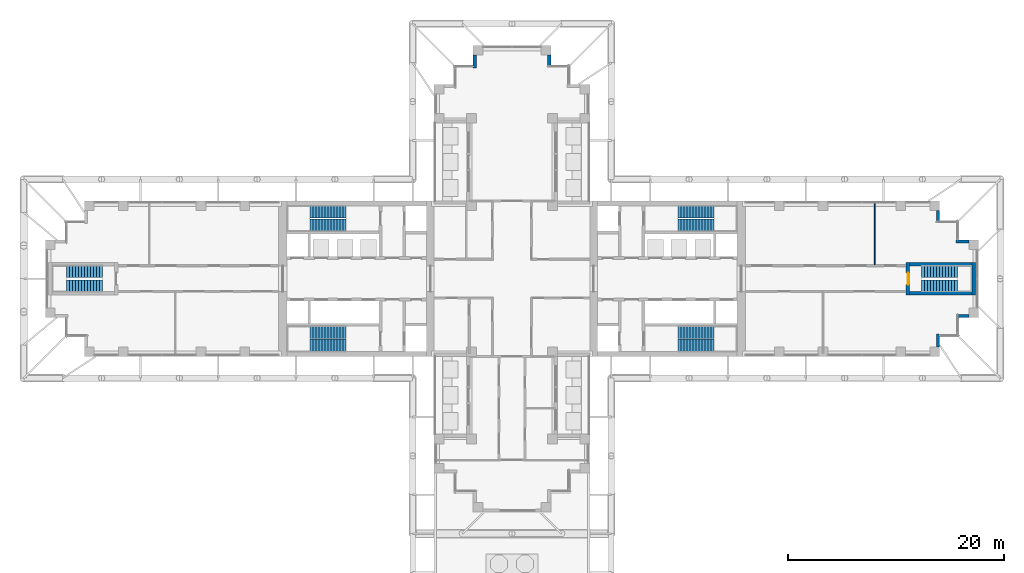
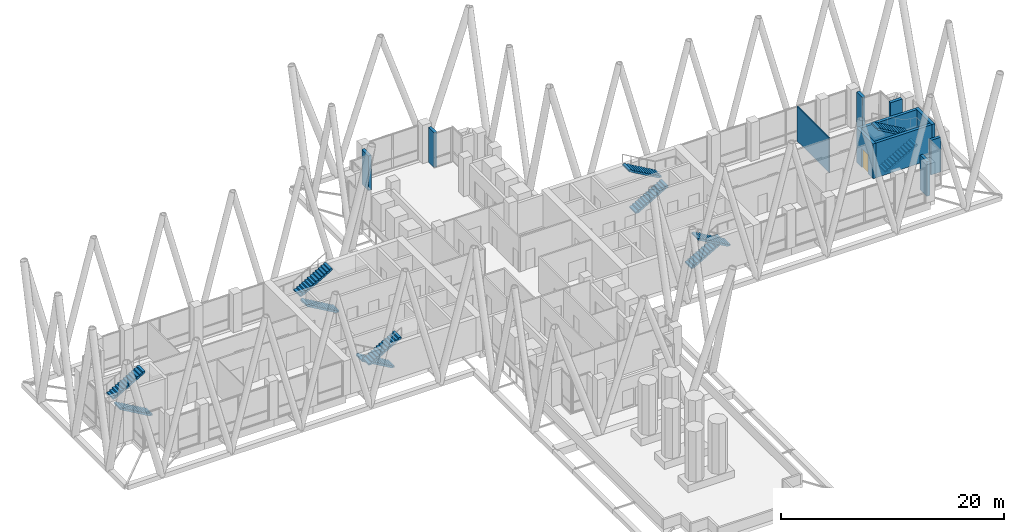
# One storey, part 18 of 22: 12 stair flights, 11 walls, 1 door, 1 opening, 6 elements without a shape of their own.
"""IFC4 building model written with IfcOpenShell, lengths in metres."""

from ifc_helpers import new_model, si_unit, direction, frame, frame_2d, origin, place, context, subcontext, project, spatial, polyline, rectangle, outline, extrude, material, layer, layer_set, type_object, element, fill, aggregate, save


model = new_model("IFC4")

# Units and contexts
model_context = context("Model", 3, precision=1e-05, world=origin(), true_north=direction((0.0, 1.0)))
body_context = subcontext(model_context, "Body", "Model", "MODEL_VIEW")
ifc_project = project(units=[si_unit("LENGTHUNIT", "METRE"), si_unit("AREAUNIT", "SQUARE_METRE"), si_unit("VOLUMEUNIT", "CUBIC_METRE"), si_unit("PLANEANGLEUNIT", "RADIAN"), si_unit("MASSUNIT", "GRAM", prefix="KILO")], contexts=[model_context])

# Site, building, storey
site_placement = place(None, origin())
site = spatial("IfcSite", under=ifc_project, at=site_placement, CompositionType="ELEMENT")
building_placement = place(site_placement, origin())
building = spatial("IfcBuilding", under=site, at=building_placement, Name="Fustian Cross Tower", CompositionType="ELEMENT")
storey_placement = place(building_placement, frame((0.0, 0.0, 116.10009765625)))
storey = spatial("IfcBuildingStorey", under=building, at=storey_placement, Name="L36", CompositionType="ELEMENT", Elevation=116.10009765625)

# Wall
ifc_material_1 = material(Name="Plasterboard on steel stud", Category="steel")
ifc_layer_1 = layer(ifc_material_1, 0.10009765625)
ifc_layer_set_1 = layer_set([ifc_layer_1], Name="Plasterboard on steel stud")
wall_type_1 = type_object("IfcWallType", Name="PARTITION 100 STUD", PredefinedType="PARTITIONING", material=ifc_layer_set_1)
wall_1_placement = place(storey_placement, frame((33.60009765625, 1.27490234375, 0.0), z_axis=(0.0, 0.0, 1.0), x_axis=(0.0, 1.0, 0.0)))
element("IfcWall", 1, at=wall_1_placement, inside=storey, type_object=wall_type_1, Name="Partition 29", PredefinedType="PARTITIONING", context=body_context, shape_type="SweptSolid", body=[
    extrude(rectangle(XDim=5.7451171875, YDim=0.10009765625, at=frame_2d((2.87255859375, 0.0))), origin(), (0.0, 0.0, 1.0), 3.7998046875),
])

# Wall, opening, door
ifc_material_2 = material(Name="Concrete C50/60", Category="concrete")
ifc_layer_2 = layer(ifc_material_2, 0.300048828125)
ifc_layer_set_2 = layer_set([ifc_layer_2], Name="Concrete C50/60")
wall_type_2 = type_object("IfcWallType", Name="STAIR ENCLOSURE WALL 300 C50/60", PredefinedType="SHEAR", material=ifc_layer_set_2)
wall_2_placement = place(storey_placement, frame((36.64990234375, -1.5, 0.0), z_axis=(0.0, 0.0, 1.0), x_axis=(0.0, 1.0, 0.0)))
wall_2 = element("IfcWall", 2, at=wall_2_placement, inside=storey, type_object=wall_type_2, Name="Stair enclosure wall", PredefinedType="SHEAR", context=body_context, shape_type="SweptSolid", body=[
    extrude(rectangle(XDim=3.0, YDim=0.300048828125, at=frame_2d((1.5, 0.0))), origin(), (0.0, 0.0, 1.0), 3.7998046875),
])
opening_placement = place(wall_2_placement, frame((0.949951171875, 0.0, 0.0)))
opening = element("IfcOpeningElement", 3, at=opening_placement, cuts=wall_2, Name="Opening CD-14-37", PredefinedType="OPENING", context=body_context, shape_type="SweptSolid", body=[
    extrude(rectangle(XDim=1.10009765625, YDim=2.10009765625, at=frame_2d((0.550048828125, 1.050048828125))), frame((0.0, 0.159912109375, 0.0), z_axis=(0.0, -1.0, 0.0), x_axis=(1.0, 0.0, 0.0)), (0.0, 0.0, 1.0), 0.320068359375),
])
ifc_material_3 = material(Name="Steel", Category="steel")
door_type = type_object("IfcDoorType", Name="FIRE DOOR FD60S 1100X2100", OperationType="SINGLE_SWING_LEFT", PredefinedType="DOOR", material=ifc_material_3)
door_placement = place(opening_placement, frame((1.10009765625, 0.0, 0.0), z_axis=(0.0, 0.0, 1.0), x_axis=(-1.0, 0.0, 0.0)))
door = element("IfcDoor", 4, at=door_placement, inside=storey, type_object=door_type, Name="Core door CD-14-37", OperationType="SINGLE_SWING_RIGHT", OverallHeight=2.10009765625, OverallWidth=1.10009765625, PredefinedType="DOOR", context=body_context, shape_type="SweptSolid", body=[
    extrude(rectangle(XDim=1.10009765625, YDim=2.10009765625, at=frame_2d((0.550048828125, 1.050048828125))), frame((0.0, 0.02490234375, 0.0), z_axis=(0.0, -1.0, 0.0), x_axis=(1.0, 0.0, 0.0)), (0.0, 0.0, 1.0), 0.050048828125),
])
fill(opening, door)

# Walls
wall_3_placement = place(storey_placement, frame((42.75, -1.5, 0.0), z_axis=(0.0, 0.0, 1.0), x_axis=(0.0, 1.0, 0.0)))
element("IfcWall", 5, at=wall_3_placement, inside=storey, type_object=wall_type_2, Name="Stair enclosure wall", PredefinedType="SHEAR", context=body_context, shape_type="SweptSolid", body=[
    extrude(rectangle(XDim=3.0, YDim=0.300048828125, at=frame_2d((1.5, 0.0))), origin(), (0.0, 0.0, 1.0), 3.7998046875),
])
for number, where, z_axis, x_axis, name in (
    (6, (36.800048828125, -1.35009765625, 0.0), (0.0, 0.0, 1.0), (1.0, 0.0, 0.0), "Stair enclosure wall"),
    (7, (36.800048828125, 1.35009765625, 0.0), (0.0, 0.0, 1.0), (1.0, 0.0, 0.0), "Stair enclosure wall"),
):
    element("IfcWall", number, at=place(storey_placement, frame(where, z_axis=z_axis, x_axis=x_axis)), inside=storey, type_object=wall_type_2, Name=name, PredefinedType="SHEAR", context=body_context, shape_type="SweptSolid", body=[
        extrude(rectangle(XDim=5.800048828125, YDim=0.300048828125, at=frame_2d((2.89990234375, 0.0))), origin(), (0.0, 0.0, 1.0), 3.7998046875),
    ])
ifc_material_4 = material(Name="Dark aluminium cladding on insulated backing wall", Category="aluminium")
ifc_layer_3 = layer(ifc_material_4, 0.300048828125)
ifc_layer_set_3 = layer_set([ifc_layer_3], Name="Dark aluminium cladding on insulated backing wall")
wall_type_3 = type_object("IfcWallType", Name="XW1 EXTERNAL WALL 300", PredefinedType="SOLIDWALL", material=ifc_layer_set_3)
wall_4_placement = place(storey_placement, frame((39.449951171875, -6.300048828125, 0.0), z_axis=(0.0, 0.0, 1.0), x_axis=(0.0, 1.0, 0.0)))
element("IfcWall", 8, at=wall_4_placement, inside=storey, type_object=wall_type_3, Name="External wall", PredefinedType="SOLIDWALL", context=body_context, shape_type="SweptSolid", body=[
    extrude(rectangle(XDim=1.199951171875, YDim=0.300048828125, at=frame_2d((0.60009765625, 0.0))), origin(), (0.0, 0.0, 1.0), 3.7998046875),
])
wall_5_placement = place(storey_placement, frame((41.280029296875, -3.449951171875, 0.0), z_axis=(0.0, 0.0, 1.0), x_axis=(1.0, 0.0, 0.0)))
element("IfcWall", 9, at=wall_5_placement, inside=storey, type_object=wall_type_3, Name="External wall", PredefinedType="SOLIDWALL", context=body_context, shape_type="SweptSolid", body=[
    extrude(rectangle(XDim=1.02001953125, YDim=0.300048828125, at=frame_2d((0.510009765625, 0.0))), origin(), (0.0, 0.0, 1.0), 3.7998046875),
])
wall_6_placement = place(storey_placement, frame((42.300048828125, 3.449951171875, 0.0), z_axis=(0.0, 0.0, 1.0), x_axis=(-1.0, 0.0, 0.0)))
element("IfcWall", 10, at=wall_6_placement, inside=storey, type_object=wall_type_3, Name="External wall", PredefinedType="SOLIDWALL", context=body_context, shape_type="SweptSolid", body=[
    extrude(rectangle(XDim=1.199951171875, YDim=0.300048828125, at=frame_2d((0.60009765625, 0.0))), origin(), (0.0, 0.0, 1.0), 3.7998046875),
])
for number, where, z_axis, x_axis, name in (
    (11, (39.449951171875, 5.280029296875, 0.0), (0.0, 0.0, 1.0), (0.0, 1.0, 0.0), "External wall"),
    (12, (3.449951171875, 19.679931640625, 0.0), (0.0, 0.0, 1.0), (0.0, 1.0, 0.0), "External wall"),
):
    element("IfcWall", number, at=place(storey_placement, frame(where, z_axis=z_axis, x_axis=x_axis)), inside=storey, type_object=wall_type_3, Name=name, PredefinedType="SOLIDWALL", context=body_context, shape_type="SweptSolid", body=[
        extrude(rectangle(XDim=1.02001953125, YDim=0.300048828125, at=frame_2d((0.510009765625, 0.0))), origin(), (0.0, 0.0, 1.0), 3.7998046875),
    ])
wall_7_placement = place(storey_placement, frame((-3.449951171875, 20.699951171875, 0.0), z_axis=(0.0, 0.0, 1.0), x_axis=(0.0, -1.0, 0.0)))
element("IfcWall", 13, at=wall_7_placement, inside=storey, type_object=wall_type_3, Name="External wall", PredefinedType="SOLIDWALL", context=body_context, shape_type="SweptSolid", body=[
    extrude(rectangle(XDim=1.199951171875, YDim=0.300048828125, at=frame_2d((0.60009765625, 0.0))), origin(), (0.0, 0.0, 1.0), 3.7998046875),
])

# Stair, stair flights
ifc_material_5 = material(Name="Concrete C50/60", Category="concrete")
stair_type_1 = type_object("IfcStairType", Name="STAIR 1100 HALF TURN", PredefinedType="HALF_TURN_STAIR", material=ifc_material_5)
stair_1_placement = place(storey_placement, origin())
stair_1 = element("IfcStair", 14, at=stair_1_placement, inside=storey, type_object=stair_type_1, Name="Stair ST8", PredefinedType="HALF_TURN_STAIR")
ifc_material_6 = material(Name="Concrete C50/60", Category="concrete")
stair_flight_type_1 = type_object("IfcStairFlightType", Name="STAIR FLIGHT 1100", PredefinedType="STRAIGHT", material=ifc_material_6)
stair_flight_1_placement = place(storey_placement, frame((37.89990234375, -0.64990234375, 0.0), z_axis=(0.0, 0.0, 1.0), x_axis=(1.0, 0.0, 0.0)))
stair_flight_1 = element("IfcStairFlight", 15, at=stair_flight_1_placement, type_object=stair_flight_type_1, Name="ST8 flight 1", NumberOfRisers=13, NumberOfTreads=12, PredefinedType="STRAIGHT", RiserHeight=0.161538462, TreadLength=0.28, context=body_context, shape_type="SweptSolid", body=[
    extrude(outline(polyline([(0.0, 0.0), (0.0, 0.16162109375), (0.280029296875, 0.16162109375), (0.280029296875, 0.322998046875), (0.56005859375, 0.322998046875), (0.56005859375, 0.484619140625), (0.840087890625, 0.484619140625), (0.840087890625, 0.646240234375), (1.1201171875, 0.646240234375), (1.1201171875, 0.8076171875), (1.39990234375, 0.8076171875), (1.39990234375, 0.96923828125), (1.679931640625, 0.96923828125), (1.679931640625, 1.130859375), (1.9599609375, 1.130859375), (1.9599609375, 1.292236328125), (2.239990234375, 1.292236328125), (2.239990234375, 1.453857421875), (2.52001953125, 1.453857421875), (2.52001953125, 1.615478515625), (2.800048828125, 1.615478515625), (2.800048828125, 1.77685546875), (3.080078125, 1.77685546875), (3.080078125, 1.9384765625), (3.360107421875, 1.9384765625), (3.360107421875, 2.10009765625), (3.360107421875, 1.765380859375), (0.300048828125, 0.0), (0.0, 0.0)])), frame((0.0, 0.550048828125, 0.0), z_axis=(0.0, -1.0, 0.0), x_axis=(1.0, 0.0, 0.0)), (0.0, 0.0, 1.0), 1.10009765625),
])
stair_flight_2_placement = place(storey_placement, frame((41.260009765625, 0.64990234375, 2.099853515625), z_axis=(0.0, 0.0, 1.0), x_axis=(-1.0, 0.0, 0.0)))
stair_flight_2 = element("IfcStairFlight", 16, at=stair_flight_2_placement, type_object=stair_flight_type_1, Name="ST8 flight 2", NumberOfRisers=13, NumberOfTreads=12, PredefinedType="STRAIGHT", RiserHeight=0.161538462, TreadLength=0.28, context=body_context, shape_type="SweptSolid", body=[
    extrude(outline(polyline([(0.0, 0.0), (0.0, 0.16162109375), (0.280029296875, 0.16162109375), (0.280029296875, 0.322998046875), (0.56005859375, 0.322998046875), (0.56005859375, 0.484619140625), (0.840087890625, 0.484619140625), (0.840087890625, 0.646240234375), (1.1201171875, 0.646240234375), (1.1201171875, 0.8076171875), (1.39990234375, 0.8076171875), (1.39990234375, 0.96923828125), (1.679931640625, 0.96923828125), (1.679931640625, 1.130859375), (1.9599609375, 1.130859375), (1.9599609375, 1.292236328125), (2.239990234375, 1.292236328125), (2.239990234375, 1.453857421875), (2.52001953125, 1.453857421875), (2.52001953125, 1.615478515625), (2.800048828125, 1.615478515625), (2.800048828125, 1.77685546875), (3.080078125, 1.77685546875), (3.080078125, 1.9384765625), (3.360107421875, 1.9384765625), (3.360107421875, 2.10009765625), (3.360107421875, 1.765380859375), (0.300048828125, 0.0), (0.0, 0.0)])), frame((0.0, 0.550048828125, 0.0), z_axis=(0.0, -1.0, 0.0), x_axis=(1.0, 0.0, 0.0)), (0.0, 0.0, 1.0), 1.10009765625),
])
aggregate(stair_1, [stair_flight_1, stair_flight_2])

stair_2_placement = place(storey_placement, origin())
stair_2 = element("IfcStair", 17, at=stair_2_placement, inside=storey, type_object=stair_type_1, Name="Stair ST9", PredefinedType="HALF_TURN_STAIR")
stair_flight_3_placement = place(storey_placement, frame((-37.89990234375, -0.64990234375, 0.0), z_axis=(0.0, 0.0, 1.0), x_axis=(-1.0, 0.0, 0.0)))
stair_flight_3 = element("IfcStairFlight", 18, at=stair_flight_3_placement, type_object=stair_flight_type_1, Name="ST9 flight 1", NumberOfRisers=13, NumberOfTreads=12, PredefinedType="STRAIGHT", RiserHeight=0.161538462, TreadLength=0.28, context=body_context, shape_type="SweptSolid", body=[
    extrude(outline(polyline([(0.0, 0.0), (0.0, 0.16162109375), (0.280029296875, 0.16162109375), (0.280029296875, 0.322998046875), (0.56005859375, 0.322998046875), (0.56005859375, 0.484619140625), (0.840087890625, 0.484619140625), (0.840087890625, 0.646240234375), (1.1201171875, 0.646240234375), (1.1201171875, 0.8076171875), (1.39990234375, 0.8076171875), (1.39990234375, 0.96923828125), (1.679931640625, 0.96923828125), (1.679931640625, 1.130859375), (1.9599609375, 1.130859375), (1.9599609375, 1.292236328125), (2.239990234375, 1.292236328125), (2.239990234375, 1.453857421875), (2.52001953125, 1.453857421875), (2.52001953125, 1.615478515625), (2.800048828125, 1.615478515625), (2.800048828125, 1.77685546875), (3.080078125, 1.77685546875), (3.080078125, 1.9384765625), (3.360107421875, 1.9384765625), (3.360107421875, 2.10009765625), (3.360107421875, 1.765380859375), (0.300048828125, 0.0), (0.0, 0.0)])), frame((0.0, 0.550048828125, 0.0), z_axis=(0.0, -1.0, 0.0), x_axis=(1.0, 0.0, 0.0)), (0.0, 0.0, 1.0), 1.10009765625),
])
stair_flight_4_placement = place(storey_placement, frame((-41.260009765625, 0.64990234375, 2.099853515625), z_axis=(0.0, 0.0, 1.0), x_axis=(1.0, 0.0, 0.0)))
stair_flight_4 = element("IfcStairFlight", 19, at=stair_flight_4_placement, type_object=stair_flight_type_1, Name="ST9 flight 2", NumberOfRisers=13, NumberOfTreads=12, PredefinedType="STRAIGHT", RiserHeight=0.161538462, TreadLength=0.28, context=body_context, shape_type="SweptSolid", body=[
    extrude(outline(polyline([(0.0, 0.0), (0.0, 0.16162109375), (0.280029296875, 0.16162109375), (0.280029296875, 0.322998046875), (0.56005859375, 0.322998046875), (0.56005859375, 0.484619140625), (0.840087890625, 0.484619140625), (0.840087890625, 0.646240234375), (1.1201171875, 0.646240234375), (1.1201171875, 0.8076171875), (1.39990234375, 0.8076171875), (1.39990234375, 0.96923828125), (1.679931640625, 0.96923828125), (1.679931640625, 1.130859375), (1.9599609375, 1.130859375), (1.9599609375, 1.292236328125), (2.239990234375, 1.292236328125), (2.239990234375, 1.453857421875), (2.52001953125, 1.453857421875), (2.52001953125, 1.615478515625), (2.800048828125, 1.615478515625), (2.800048828125, 1.77685546875), (3.080078125, 1.77685546875), (3.080078125, 1.9384765625), (3.360107421875, 1.9384765625), (3.360107421875, 2.10009765625), (3.360107421875, 1.765380859375), (0.300048828125, 0.0), (0.0, 0.0)])), frame((0.0, 0.550048828125, 0.0), z_axis=(0.0, -1.0, 0.0), x_axis=(1.0, 0.0, 0.0)), (0.0, 0.0, 1.0), 1.10009765625),
])
aggregate(stair_2, [stair_flight_3, stair_flight_4])

ifc_material_7 = material(Name="Concrete C50/60", Category="concrete")
stair_type_2 = type_object("IfcStairType", Name="STAIR 1150 HALF TURN", PredefinedType="HALF_TURN_STAIR", material=ifc_material_7)
stair_3_placement = place(storey_placement, origin())
stair_3 = element("IfcStair", 20, at=stair_3_placement, inside=storey, type_object=stair_type_2, Name="Stair ST1", PredefinedType="HALF_TURN_STAIR")
ifc_material_8 = material(Name="Concrete C50/60", Category="concrete")
stair_flight_type_2 = type_object("IfcStairFlightType", Name="STAIR FLIGHT 1150", PredefinedType="STRAIGHT", material=ifc_material_8)
stair_flight_5_placement = place(storey_placement, frame((15.35009765625, 4.97509765625, 0.0), z_axis=(0.0, 0.0, 1.0), x_axis=(1.0, 0.0, 0.0)))
stair_flight_5 = element("IfcStairFlight", 21, at=stair_flight_5_placement, type_object=stair_flight_type_2, Name="ST1 flight 1", NumberOfRisers=13, NumberOfTreads=12, PredefinedType="STRAIGHT", RiserHeight=0.161538462, TreadLength=0.28, context=body_context, shape_type="SweptSolid", body=[
    extrude(outline(polyline([(0.0, 0.0), (0.0, 0.16162109375), (0.280029296875, 0.16162109375), (0.280029296875, 0.322998046875), (0.56005859375, 0.322998046875), (0.56005859375, 0.484619140625), (0.840087890625, 0.484619140625), (0.840087890625, 0.646240234375), (1.1201171875, 0.646240234375), (1.1201171875, 0.8076171875), (1.39990234375, 0.8076171875), (1.39990234375, 0.96923828125), (1.679931640625, 0.96923828125), (1.679931640625, 1.130859375), (1.9599609375, 1.130859375), (1.9599609375, 1.292236328125), (2.239990234375, 1.292236328125), (2.239990234375, 1.453857421875), (2.52001953125, 1.453857421875), (2.52001953125, 1.615478515625), (2.800048828125, 1.615478515625), (2.800048828125, 1.77685546875), (3.080078125, 1.77685546875), (3.080078125, 1.9384765625), (3.360107421875, 1.9384765625), (3.360107421875, 2.10009765625), (3.360107421875, 1.765380859375), (0.300048828125, 0.0), (0.0, 0.0)])), frame((0.0, 0.574951171875, 0.0), z_axis=(0.0, -1.0, 0.0), x_axis=(1.0, 0.0, 0.0)), (0.0, 0.0, 1.0), 1.14990234375),
])
stair_flight_6_placement = place(storey_placement, frame((18.7099609375, 6.175048828125, 2.099853515625), z_axis=(0.0, 0.0, 1.0), x_axis=(-1.0, 0.0, 0.0)))
stair_flight_6 = element("IfcStairFlight", 22, at=stair_flight_6_placement, type_object=stair_flight_type_2, Name="ST1 flight 2", NumberOfRisers=13, NumberOfTreads=12, PredefinedType="STRAIGHT", RiserHeight=0.161538462, TreadLength=0.28, context=body_context, shape_type="SweptSolid", body=[
    extrude(outline(polyline([(0.0, 0.0), (0.0, 0.16162109375), (0.280029296875, 0.16162109375), (0.280029296875, 0.322998046875), (0.56005859375, 0.322998046875), (0.56005859375, 0.484619140625), (0.840087890625, 0.484619140625), (0.840087890625, 0.646240234375), (1.1201171875, 0.646240234375), (1.1201171875, 0.8076171875), (1.39990234375, 0.8076171875), (1.39990234375, 0.96923828125), (1.679931640625, 0.96923828125), (1.679931640625, 1.130859375), (1.9599609375, 1.130859375), (1.9599609375, 1.292236328125), (2.239990234375, 1.292236328125), (2.239990234375, 1.453857421875), (2.52001953125, 1.453857421875), (2.52001953125, 1.615478515625), (2.800048828125, 1.615478515625), (2.800048828125, 1.77685546875), (3.080078125, 1.77685546875), (3.080078125, 1.9384765625), (3.360107421875, 1.9384765625), (3.360107421875, 2.10009765625), (3.360107421875, 1.765380859375), (0.300048828125, 0.0), (0.0, 0.0)])), frame((0.0, 0.574951171875, 0.0), z_axis=(0.0, -1.0, 0.0), x_axis=(1.0, 0.0, 0.0)), (0.0, 0.0, 1.0), 1.14990234375),
])
aggregate(stair_3, [stair_flight_5, stair_flight_6])

stair_4_placement = place(storey_placement, origin())
stair_4 = element("IfcStair", 23, at=stair_4_placement, inside=storey, type_object=stair_type_2, Name="Stair ST2", PredefinedType="HALF_TURN_STAIR")
stair_flight_7_placement = place(storey_placement, frame((15.35009765625, -4.97509765625, 0.0), z_axis=(0.0, 0.0, 1.0), x_axis=(1.0, 0.0, 0.0)))
stair_flight_7 = element("IfcStairFlight", 24, at=stair_flight_7_placement, type_object=stair_flight_type_2, Name="ST2 flight 1", NumberOfRisers=13, NumberOfTreads=12, PredefinedType="STRAIGHT", RiserHeight=0.161538462, TreadLength=0.28, context=body_context, shape_type="SweptSolid", body=[
    extrude(outline(polyline([(0.0, 0.0), (0.0, 0.16162109375), (0.280029296875, 0.16162109375), (0.280029296875, 0.322998046875), (0.56005859375, 0.322998046875), (0.56005859375, 0.484619140625), (0.840087890625, 0.484619140625), (0.840087890625, 0.646240234375), (1.1201171875, 0.646240234375), (1.1201171875, 0.8076171875), (1.39990234375, 0.8076171875), (1.39990234375, 0.96923828125), (1.679931640625, 0.96923828125), (1.679931640625, 1.130859375), (1.9599609375, 1.130859375), (1.9599609375, 1.292236328125), (2.239990234375, 1.292236328125), (2.239990234375, 1.453857421875), (2.52001953125, 1.453857421875), (2.52001953125, 1.615478515625), (2.800048828125, 1.615478515625), (2.800048828125, 1.77685546875), (3.080078125, 1.77685546875), (3.080078125, 1.9384765625), (3.360107421875, 1.9384765625), (3.360107421875, 2.10009765625), (3.360107421875, 1.765380859375), (0.300048828125, 0.0), (0.0, 0.0)])), frame((0.0, 0.574951171875, 0.0), z_axis=(0.0, -1.0, 0.0), x_axis=(1.0, 0.0, 0.0)), (0.0, 0.0, 1.0), 1.14990234375),
])
stair_flight_8_placement = place(storey_placement, frame((18.7099609375, -6.175048828125, 2.099853515625), z_axis=(0.0, 0.0, 1.0), x_axis=(-1.0, 0.0, 0.0)))
stair_flight_8 = element("IfcStairFlight", 25, at=stair_flight_8_placement, type_object=stair_flight_type_2, Name="ST2 flight 2", NumberOfRisers=13, NumberOfTreads=12, PredefinedType="STRAIGHT", RiserHeight=0.161538462, TreadLength=0.28, context=body_context, shape_type="SweptSolid", body=[
    extrude(outline(polyline([(0.0, 0.0), (0.0, 0.16162109375), (0.280029296875, 0.16162109375), (0.280029296875, 0.322998046875), (0.56005859375, 0.322998046875), (0.56005859375, 0.484619140625), (0.840087890625, 0.484619140625), (0.840087890625, 0.646240234375), (1.1201171875, 0.646240234375), (1.1201171875, 0.8076171875), (1.39990234375, 0.8076171875), (1.39990234375, 0.96923828125), (1.679931640625, 0.96923828125), (1.679931640625, 1.130859375), (1.9599609375, 1.130859375), (1.9599609375, 1.292236328125), (2.239990234375, 1.292236328125), (2.239990234375, 1.453857421875), (2.52001953125, 1.453857421875), (2.52001953125, 1.615478515625), (2.800048828125, 1.615478515625), (2.800048828125, 1.77685546875), (3.080078125, 1.77685546875), (3.080078125, 1.9384765625), (3.360107421875, 1.9384765625), (3.360107421875, 2.10009765625), (3.360107421875, 1.765380859375), (0.300048828125, 0.0), (0.0, 0.0)])), frame((0.0, 0.574951171875, 0.0), z_axis=(0.0, -1.0, 0.0), x_axis=(1.0, 0.0, 0.0)), (0.0, 0.0, 1.0), 1.14990234375),
])
aggregate(stair_4, [stair_flight_7, stair_flight_8])

stair_5_placement = place(storey_placement, origin())
stair_5 = element("IfcStair", 26, at=stair_5_placement, inside=storey, type_object=stair_type_2, Name="Stair ST3", PredefinedType="HALF_TURN_STAIR")
stair_flight_9_placement = place(storey_placement, frame((-15.35009765625, 4.97509765625, 0.0), z_axis=(0.0, 0.0, 1.0), x_axis=(-1.0, 0.0, 0.0)))
stair_flight_9 = element("IfcStairFlight", 27, at=stair_flight_9_placement, type_object=stair_flight_type_2, Name="ST3 flight 1", NumberOfRisers=13, NumberOfTreads=12, PredefinedType="STRAIGHT", RiserHeight=0.161538462, TreadLength=0.28, context=body_context, shape_type="SweptSolid", body=[
    extrude(outline(polyline([(0.0, 0.0), (0.0, 0.16162109375), (0.280029296875, 0.16162109375), (0.280029296875, 0.322998046875), (0.56005859375, 0.322998046875), (0.56005859375, 0.484619140625), (0.840087890625, 0.484619140625), (0.840087890625, 0.646240234375), (1.1201171875, 0.646240234375), (1.1201171875, 0.8076171875), (1.39990234375, 0.8076171875), (1.39990234375, 0.96923828125), (1.679931640625, 0.96923828125), (1.679931640625, 1.130859375), (1.9599609375, 1.130859375), (1.9599609375, 1.292236328125), (2.239990234375, 1.292236328125), (2.239990234375, 1.453857421875), (2.52001953125, 1.453857421875), (2.52001953125, 1.615478515625), (2.800048828125, 1.615478515625), (2.800048828125, 1.77685546875), (3.080078125, 1.77685546875), (3.080078125, 1.9384765625), (3.360107421875, 1.9384765625), (3.360107421875, 2.10009765625), (3.360107421875, 1.765380859375), (0.300048828125, 0.0), (0.0, 0.0)])), frame((0.0, 0.574951171875, 0.0), z_axis=(0.0, -1.0, 0.0), x_axis=(1.0, 0.0, 0.0)), (0.0, 0.0, 1.0), 1.14990234375),
])
stair_flight_10_placement = place(storey_placement, frame((-18.7099609375, 6.175048828125, 2.099853515625), z_axis=(0.0, 0.0, 1.0), x_axis=(1.0, 0.0, 0.0)))
stair_flight_10 = element("IfcStairFlight", 28, at=stair_flight_10_placement, type_object=stair_flight_type_2, Name="ST3 flight 2", NumberOfRisers=13, NumberOfTreads=12, PredefinedType="STRAIGHT", RiserHeight=0.161538462, TreadLength=0.28, context=body_context, shape_type="SweptSolid", body=[
    extrude(outline(polyline([(0.0, 0.0), (0.0, 0.16162109375), (0.280029296875, 0.16162109375), (0.280029296875, 0.322998046875), (0.56005859375, 0.322998046875), (0.56005859375, 0.484619140625), (0.840087890625, 0.484619140625), (0.840087890625, 0.646240234375), (1.1201171875, 0.646240234375), (1.1201171875, 0.8076171875), (1.39990234375, 0.8076171875), (1.39990234375, 0.96923828125), (1.679931640625, 0.96923828125), (1.679931640625, 1.130859375), (1.9599609375, 1.130859375), (1.9599609375, 1.292236328125), (2.239990234375, 1.292236328125), (2.239990234375, 1.453857421875), (2.52001953125, 1.453857421875), (2.52001953125, 1.615478515625), (2.800048828125, 1.615478515625), (2.800048828125, 1.77685546875), (3.080078125, 1.77685546875), (3.080078125, 1.9384765625), (3.360107421875, 1.9384765625), (3.360107421875, 2.10009765625), (3.360107421875, 1.765380859375), (0.300048828125, 0.0), (0.0, 0.0)])), frame((0.0, 0.574951171875, 0.0), z_axis=(0.0, -1.0, 0.0), x_axis=(1.0, 0.0, 0.0)), (0.0, 0.0, 1.0), 1.14990234375),
])
aggregate(stair_5, [stair_flight_9, stair_flight_10])

stair_6_placement = place(storey_placement, origin())
stair_6 = element("IfcStair", 29, at=stair_6_placement, inside=storey, type_object=stair_type_2, Name="Stair ST4", PredefinedType="HALF_TURN_STAIR")
stair_flight_11_placement = place(storey_placement, frame((-15.35009765625, -4.97509765625, 0.0), z_axis=(0.0, 0.0, 1.0), x_axis=(-1.0, 0.0, 0.0)))
stair_flight_11 = element("IfcStairFlight", 30, at=stair_flight_11_placement, type_object=stair_flight_type_2, Name="ST4 flight 1", NumberOfRisers=13, NumberOfTreads=12, PredefinedType="STRAIGHT", RiserHeight=0.161538462, TreadLength=0.28, context=body_context, shape_type="SweptSolid", body=[
    extrude(outline(polyline([(0.0, 0.0), (0.0, 0.16162109375), (0.280029296875, 0.16162109375), (0.280029296875, 0.322998046875), (0.56005859375, 0.322998046875), (0.56005859375, 0.484619140625), (0.840087890625, 0.484619140625), (0.840087890625, 0.646240234375), (1.1201171875, 0.646240234375), (1.1201171875, 0.8076171875), (1.39990234375, 0.8076171875), (1.39990234375, 0.96923828125), (1.679931640625, 0.96923828125), (1.679931640625, 1.130859375), (1.9599609375, 1.130859375), (1.9599609375, 1.292236328125), (2.239990234375, 1.292236328125), (2.239990234375, 1.453857421875), (2.52001953125, 1.453857421875), (2.52001953125, 1.615478515625), (2.800048828125, 1.615478515625), (2.800048828125, 1.77685546875), (3.080078125, 1.77685546875), (3.080078125, 1.9384765625), (3.360107421875, 1.9384765625), (3.360107421875, 2.10009765625), (3.360107421875, 1.765380859375), (0.300048828125, 0.0), (0.0, 0.0)])), frame((0.0, 0.574951171875, 0.0), z_axis=(0.0, -1.0, 0.0), x_axis=(1.0, 0.0, 0.0)), (0.0, 0.0, 1.0), 1.14990234375),
])
stair_flight_12_placement = place(storey_placement, frame((-18.7099609375, -6.175048828125, 2.099853515625), z_axis=(0.0, 0.0, 1.0), x_axis=(1.0, 0.0, 0.0)))
stair_flight_12 = element("IfcStairFlight", 31, at=stair_flight_12_placement, type_object=stair_flight_type_2, Name="ST4 flight 2", NumberOfRisers=13, NumberOfTreads=12, PredefinedType="STRAIGHT", RiserHeight=0.161538462, TreadLength=0.28, context=body_context, shape_type="SweptSolid", body=[
    extrude(outline(polyline([(0.0, 0.0), (0.0, 0.16162109375), (0.280029296875, 0.16162109375), (0.280029296875, 0.322998046875), (0.56005859375, 0.322998046875), (0.56005859375, 0.484619140625), (0.840087890625, 0.484619140625), (0.840087890625, 0.646240234375), (1.1201171875, 0.646240234375), (1.1201171875, 0.8076171875), (1.39990234375, 0.8076171875), (1.39990234375, 0.96923828125), (1.679931640625, 0.96923828125), (1.679931640625, 1.130859375), (1.9599609375, 1.130859375), (1.9599609375, 1.292236328125), (2.239990234375, 1.292236328125), (2.239990234375, 1.453857421875), (2.52001953125, 1.453857421875), (2.52001953125, 1.615478515625), (2.800048828125, 1.615478515625), (2.800048828125, 1.77685546875), (3.080078125, 1.77685546875), (3.080078125, 1.9384765625), (3.360107421875, 1.9384765625), (3.360107421875, 2.10009765625), (3.360107421875, 1.765380859375), (0.300048828125, 0.0), (0.0, 0.0)])), frame((0.0, 0.574951171875, 0.0), z_axis=(0.0, -1.0, 0.0), x_axis=(1.0, 0.0, 0.0)), (0.0, 0.0, 1.0), 1.14990234375),
])
aggregate(stair_6, [stair_flight_11, stair_flight_12])

save(model, "model.ifc")
